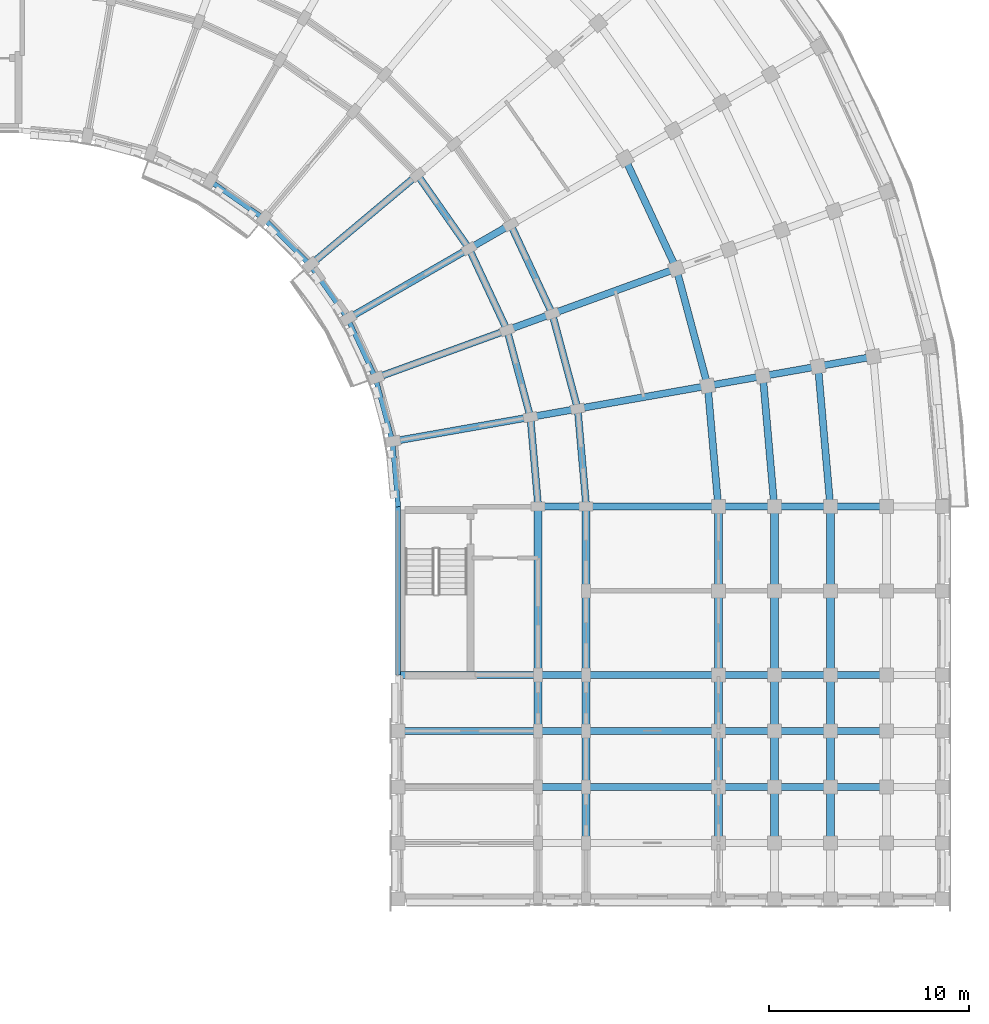
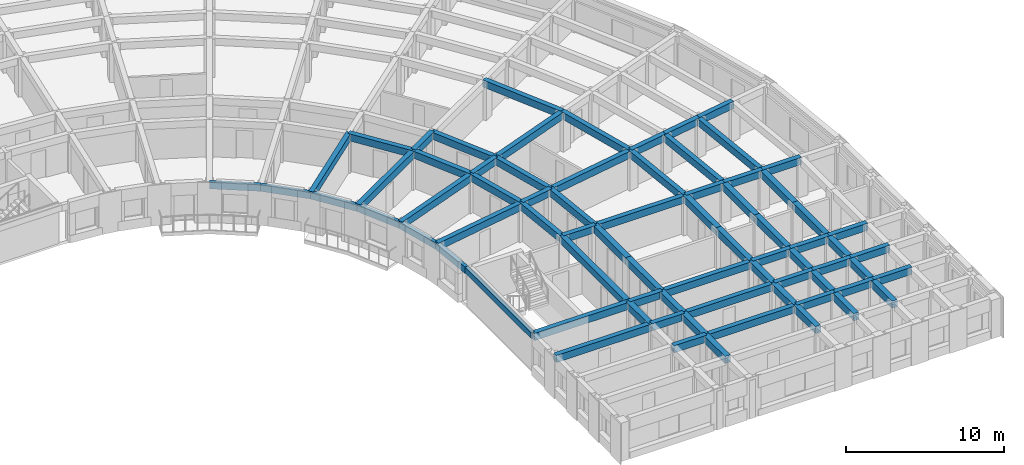
# One storey, part 12 of 57: 75 beams.
"""IFC4 building model written with IfcOpenShell, lengths in metres."""

from ifc_helpers import new_model, si_unit, direction, frame, origin, origin_2d, place, context, subcontext, project, spatial, rectangle, extrude, material, material_profile, profile_set, type_object, element, save


model = new_model("IFC4")

# Units and contexts
model_context = context("Model", 3, precision=1e-05, world=origin(), true_north=direction((0.0, 1.0)))
body_context = subcontext(model_context, "Body", "Model", "MODEL_VIEW")
ifc_project = project(units=[si_unit("LENGTHUNIT", "METRE"), si_unit("AREAUNIT", "SQUARE_METRE"), si_unit("VOLUMEUNIT", "CUBIC_METRE"), si_unit("PLANEANGLEUNIT", "RADIAN"), si_unit("MASSUNIT", "GRAM", prefix="KILO")], contexts=[model_context])

# Site, building, storey
site_placement = place(None, origin())
site = spatial("IfcSite", under=ifc_project, at=site_placement, CompositionType="ELEMENT")
building_placement = place(site_placement, origin())
building = spatial("IfcBuilding", under=site, at=building_placement, Name="Kiranvali Square Residences", CompositionType="ELEMENT")
storey_placement = place(building_placement, frame((0.0, 0.0, 24.449951171875)))
storey = spatial("IfcBuildingStorey", under=building, at=storey_placement, Name="L07", CompositionType="ELEMENT", Elevation=24.449951171875)

# Beams
ifc_material_1 = material(Name="Concrete M40 (40 MPa)", Category="concrete")
ifc_material_profile_1 = material_profile(ifc_material_1, rectangle(XDim=0.35009765625, YDim=0.550048828125, at=origin_2d()), Name="RC 350x550")
ifc_profile_set_1 = profile_set([ifc_material_profile_1], Name="Concrete M40 (40 MPa)")
beam_type_1 = type_object("IfcBeamType", Name="BM-M40-350x550", PredefinedType="BEAM", material=ifc_profile_set_1)
for number, where, z_axis, x_axis, name in (
    (1, (139.56396484375, 104.384033203125, 2.655029296875), (0.573571637217, -0.819155404658, 0.0), (0.819155404658, 0.573571637217, 0.0), "L07 beam BM-B-L07-C05-R1"),
    (2, (142.1435546875, 100.699951171875, 2.655029296875), (0.422617978463, -0.906307919131, 0.0), (0.906307919131, 0.422617978463, 0.0), "L07 beam BM-B-L07-C06-R1"),
):
    element("IfcBeam", number, at=place(storey_placement, frame(where, z_axis=z_axis, x_axis=x_axis)), inside=storey, type_object=beam_type_1, Name=name, PredefinedType="BEAM", context=body_context, shape_type="SweptSolid", body=[
        extrude(rectangle(XDim=0.35009765625, YDim=0.550048828125, at=origin_2d()), origin(), (0.0, 0.0, 1.0), 4.497314453125),
    ])
beam_1_placement = place(storey_placement, frame((144.221923828125, 101.89990234375, 2.655029296875), z_axis=(0.422629854778, -0.906302381024, 0.0), x_axis=(0.906302381024, 0.422629854778, 0.0)))
element("IfcBeam", 3, at=beam_1_placement, inside=storey, type_object=beam_type_1, Name="L07 beam BM-B-L07-C06-R2", PredefinedType="BEAM", context=body_context, shape_type="SweptSolid", body=[
    extrude(rectangle(XDim=0.35009765625, YDim=0.550048828125, at=origin_2d()), origin(), (0.0, 0.0, 1.0), 4.915283203125),
])
beam_2_placement = place(storey_placement, frame((149.937744140625, 105.199951171875, 2.655029296875), z_axis=(0.42260781991, -0.906312656069, 0.0), x_axis=(0.906312656069, 0.42260781991, 0.0)))
element("IfcBeam", 4, at=beam_2_placement, inside=storey, type_object=beam_type_1, Name="L07 beam BM-B-L07-C06-R3", PredefinedType="BEAM", context=body_context, shape_type="SweptSolid", body=[
    extrude(rectangle(XDim=0.35009765625, YDim=0.550048828125, at=origin_2d()), origin(), (0.0, 0.0, 1.0), 6.06591796875),
])
beam_3_placement = place(storey_placement, frame((144.044189453125, 96.6240234375, 2.655029296875), z_axis=(0.258787642463, -0.965934240054, 0.0), x_axis=(0.965934240054, 0.258787642463, 0.0)))
element("IfcBeam", 5, at=beam_3_placement, inside=storey, type_object=beam_type_1, Name="L07 beam BM-B-L07-C07-R1", PredefinedType="BEAM", context=body_context, shape_type="SweptSolid", body=[
    extrude(rectangle(XDim=0.35009765625, YDim=0.550048828125, at=origin_2d()), origin(), (0.0, 0.0, 1.0), 4.497314453125),
])
beam_4_placement = place(storey_placement, frame((146.29931640625, 97.445068359375, 2.655029296875), z_axis=(0.258803112091, -0.965930095386, 0.0), x_axis=(0.965930095386, 0.258803112091, 0.0)))
element("IfcBeam", 6, at=beam_4_placement, inside=storey, type_object=beam_type_1, Name="L07 beam BM-B-L07-C07-R2", PredefinedType="BEAM", context=body_context, shape_type="SweptSolid", body=[
    extrude(rectangle(XDim=0.35009765625, YDim=0.550048828125, at=origin_2d()), origin(), (0.0, 0.0, 1.0), 4.915771484375),
])
beam_5_placement = place(storey_placement, frame((152.501220703125, 99.702392578125, 2.655029296875), z_axis=(0.258827283048, -0.965923618901, 0.0), x_axis=(0.965923618901, 0.258827283048, 0.0)))
element("IfcBeam", 7, at=beam_5_placement, inside=storey, type_object=beam_type_1, Name="L07 beam BM-B-L07-C07-R3", PredefinedType="BEAM", context=body_context, shape_type="SweptSolid", body=[
    extrude(rectangle(XDim=0.35009765625, YDim=0.550048828125, at=origin_2d()), origin(), (0.0, 0.0, 1.0), 6.066162109375),
])
beam_6_placement = place(storey_placement, frame((145.2080078125, 92.280029296875, 2.655029296875), z_axis=(0.087187153726, -0.996191949488, 0.0), x_axis=(0.996191949488, 0.087187153726, 0.0)))
element("IfcBeam", 8, at=beam_6_placement, inside=storey, type_object=beam_type_1, Name="L07 beam BM-B-L07-C08-R1", PredefinedType="BEAM", context=body_context, shape_type="SweptSolid", body=[
    extrude(rectangle(XDim=0.35009765625, YDim=0.550048828125, at=origin_2d()), origin(), (0.0, 0.0, 1.0), 4.4970703125),
])
beam_7_placement = place(storey_placement, frame((147.571533203125, 92.69677734375, 2.655029296875), z_axis=(0.087167566415, -0.996193663584, 0.0), x_axis=(0.996193663584, 0.087167566415, 0.0)))
element("IfcBeam", 9, at=beam_7_placement, inside=storey, type_object=beam_type_1, Name="L07 beam BM-B-L07-C08-R2", PredefinedType="BEAM", context=body_context, shape_type="SweptSolid", body=[
    extrude(rectangle(XDim=0.35009765625, YDim=0.550048828125, at=origin_2d()), origin(), (0.0, 0.0, 1.0), 4.91552734375),
])
beam_8_placement = place(storey_placement, frame((154.0712890625, 93.843017578125, 2.655029296875), z_axis=(0.087174938512, -0.996193018494, 0.0), x_axis=(0.996193018494, 0.087174938512, 0.0)))
element("IfcBeam", 10, at=beam_8_placement, inside=storey, type_object=beam_type_1, Name="L07 beam BM-B-L07-C08-R3", PredefinedType="BEAM", context=body_context, shape_type="SweptSolid", body=[
    extrude(rectangle(XDim=0.35009765625, YDim=0.550048828125, at=origin_2d()), origin(), (0.0, 0.0, 1.0), 6.066162109375),
])
beam_9_placement = place(storey_placement, frame((156.828857421875, 94.3291015625, 2.655029296875), z_axis=(0.0871295204, -0.996196991902, 0.0), x_axis=(0.996196991902, 0.0871295204, 0.0)))
element("IfcBeam", 11, at=beam_9_placement, inside=storey, type_object=beam_type_1, Name="L07 beam BM-B-L07-C08-R4", PredefinedType="BEAM", context=body_context, shape_type="SweptSolid", body=[
    extrude(rectangle(XDim=0.35009765625, YDim=0.550048828125, at=origin_2d()), origin(), (0.0, 0.0, 1.0), 6.553955078125),
])
beam_10_placement = place(storey_placement, frame((159.586181640625, 94.8154296875, 2.655029296875), z_axis=(0.087156198737, -0.996194658198, 0.0), x_axis=(0.996194658198, 0.087156198737, 0.0)))
element("IfcBeam", 12, at=beam_10_placement, inside=storey, type_object=beam_type_1, Name="L07 beam BM-B-L07-C08-R5", PredefinedType="BEAM", context=body_context, shape_type="SweptSolid", body=[
    extrude(rectangle(XDim=0.35009765625, YDim=0.550048828125, at=origin_2d()), origin(), (0.0, 0.0, 1.0), 7.042236328125),
])
for number, where, z_axis, x_axis, name in (
    (13, (134.20166015625, 99.884521484375, 2.655029296875), (0.766044173478, 0.642787931032, 0.0), (-0.642787931032, 0.766044173478, 0.0), "L07 beam BM-B-L07-RAD05-01"),
    (14, (136.081298828125, 97.199951171875, 2.655029296875), (0.866028190633, 0.499995173006, 0.0), (-0.499995173006, 0.866028190633, 0.0), "L07 beam BM-B-L07-RAD06-01"),
):
    element("IfcBeam", number, at=place(storey_placement, frame(where, z_axis=z_axis, x_axis=x_axis)), inside=storey, type_object=beam_type_1, Name=name, PredefinedType="BEAM", context=body_context, shape_type="SweptSolid", body=[
        extrude(rectangle(XDim=0.35009765625, YDim=0.550048828125, at=origin_2d()), origin(), (0.0, 0.0, 1.0), 7.0),
    ])
beam_11_placement = place(storey_placement, frame((142.1435546875, 100.699951171875, 2.655029296875), z_axis=(0.866024647952, 0.500001309137, 0.0), x_axis=(-0.500001309137, 0.866024647952, 0.0)))
element("IfcBeam", 15, at=beam_11_placement, inside=storey, type_object=beam_type_1, Name="L07 beam BM-B-L07-RAD06-12", PredefinedType="BEAM", context=body_context, shape_type="SweptSolid", body=[
    extrude(rectangle(XDim=0.35009765625, YDim=0.550048828125, at=origin_2d()), origin(), (0.0, 0.0, 1.0), 2.39990234375),
])
beam_12_placement = place(storey_placement, frame((137.46630859375, 94.22998046875, 2.655029296875), z_axis=(0.939697665127, 0.342006283793, 0.0), x_axis=(-0.342006283793, 0.939697665127, 0.0)))
element("IfcBeam", 16, at=beam_12_placement, inside=storey, type_object=beam_type_1, Name="L07 beam BM-B-L07-RAD07-01", PredefinedType="BEAM", context=body_context, shape_type="SweptSolid", body=[
    extrude(rectangle(XDim=0.35009765625, YDim=0.550048828125, at=origin_2d()), origin(), (0.0, 0.0, 1.0), 7.0),
])
beam_13_placement = place(storey_placement, frame((144.044189453125, 96.6240234375, 2.655029296875), z_axis=(0.939659694648, 0.342110593602, 0.0), x_axis=(-0.342110593602, 0.939659694648, 0.0)))
element("IfcBeam", 17, at=beam_13_placement, inside=storey, type_object=beam_type_1, Name="L07 beam BM-B-L07-RAD07-12", PredefinedType="BEAM", context=body_context, shape_type="SweptSolid", body=[
    extrude(rectangle(XDim=0.35009765625, YDim=0.550048828125, at=origin_2d()), origin(), (0.0, 0.0, 1.0), 2.39990234375),
])
beam_14_placement = place(storey_placement, frame((146.29931640625, 97.445068359375, 2.655029296875), z_axis=(0.939691858249, 0.342022238372, 0.0), x_axis=(-0.342022238372, 0.939691858249, 0.0)))
element("IfcBeam", 18, at=beam_14_placement, inside=storey, type_object=beam_type_1, Name="L07 beam BM-B-L07-RAD07-23", PredefinedType="BEAM", context=body_context, shape_type="SweptSolid", body=[
    extrude(rectangle(XDim=0.35009765625, YDim=0.550048828125, at=origin_2d()), origin(), (0.0, 0.0, 1.0), 6.599853515625),
])
beam_15_placement = place(storey_placement, frame((138.314453125, 91.064697265625, 2.655029296875), z_axis=(0.984812337125, 0.173622177865, 0.0), x_axis=(-0.173622177865, 0.984812337125, 0.0)))
element("IfcBeam", 19, at=beam_15_placement, inside=storey, type_object=beam_type_1, Name="L07 beam BM-B-L07-RAD08-01", PredefinedType="BEAM", context=body_context, shape_type="SweptSolid", body=[
    extrude(rectangle(XDim=0.35009765625, YDim=0.550048828125, at=origin_2d()), origin(), (0.0, 0.0, 1.0), 6.999755859375),
])
beam_16_placement = place(storey_placement, frame((145.2080078125, 92.280029296875, 2.655029296875), z_axis=(0.984808127031, 0.173646056486, 0.0), x_axis=(-0.173646056486, 0.984808127031, 0.0)))
element("IfcBeam", 20, at=beam_16_placement, inside=storey, type_object=beam_type_1, Name="L07 beam BM-B-L07-RAD08-12", PredefinedType="BEAM", context=body_context, shape_type="SweptSolid", body=[
    extrude(rectangle(XDim=0.35009765625, YDim=0.550048828125, at=origin_2d()), origin(), (0.0, 0.0, 1.0), 2.39990234375),
])
beam_17_placement = place(storey_placement, frame((147.571533203125, 92.69677734375, 2.655029296875), z_axis=(0.984803661269, 0.173671381499, 0.0), x_axis=(-0.173671381499, 0.984803661269, 0.0)))
element("IfcBeam", 21, at=beam_17_placement, inside=storey, type_object=beam_type_1, Name="L07 beam BM-B-L07-RAD08-23", PredefinedType="BEAM", context=body_context, shape_type="SweptSolid", body=[
    extrude(rectangle(XDim=0.35009765625, YDim=0.550048828125, at=origin_2d()), origin(), (0.0, 0.0, 1.0), 6.60009765625),
])
beam_18_placement = place(storey_placement, frame((154.0712890625, 93.843017578125, 2.655029296875), z_axis=(0.984816895441, 0.173596320392, 0.0), x_axis=(-0.173596320392, 0.984816895441, 0.0)))
element("IfcBeam", 22, at=beam_18_placement, inside=storey, type_object=beam_type_1, Name="L07 beam BM-B-L07-RAD08-34", PredefinedType="BEAM", context=body_context, shape_type="SweptSolid", body=[
    extrude(rectangle(XDim=0.35009765625, YDim=0.550048828125, at=origin_2d()), origin(), (0.0, 0.0, 1.0), 2.800048828125),
])
beam_19_placement = place(storey_placement, frame((156.828857421875, 94.3291015625, 2.655029296875), z_axis=(0.984799355489, 0.173695795656, 0.0), x_axis=(-0.173695795656, 0.984799355489, 0.0)))
element("IfcBeam", 23, at=beam_19_placement, inside=storey, type_object=beam_type_1, Name="L07 beam BM-B-L07-RAD08-45", PredefinedType="BEAM", context=body_context, shape_type="SweptSolid", body=[
    extrude(rectangle(XDim=0.35009765625, YDim=0.550048828125, at=origin_2d()), origin(), (0.0, 0.0, 1.0), 2.7998046875),
])
beam_20_placement = place(storey_placement, frame((159.586181640625, 94.8154296875, 2.655029296875), z_axis=(0.984816895441, 0.173596320392, 0.0), x_axis=(-0.173596320392, 0.984816895441, 0.0)))
element("IfcBeam", 24, at=beam_20_placement, inside=storey, type_object=beam_type_1, Name="L07 beam BM-B-L07-RAD08-56", PredefinedType="BEAM", context=body_context, shape_type="SweptSolid", body=[
    extrude(rectangle(XDim=0.35009765625, YDim=0.550048828125, at=origin_2d()), origin(), (0.0, 0.0, 1.0), 2.800048828125),
])
beam_21_placement = place(storey_placement, frame((145.60009765625, 87.800048828125, 2.655029296875), z_axis=(1.0, 0.0, 0.0), x_axis=(0.0, 1.0, 0.0)))
element("IfcBeam", 25, at=beam_21_placement, inside=storey, type_object=beam_type_1, Name="L07 beam BM-B-L07-A2T0-12", PredefinedType="BEAM", context=body_context, shape_type="SweptSolid", body=[
    extrude(rectangle(XDim=0.35009765625, YDim=0.550048828125, at=origin_2d()), origin(), (0.0, 0.0, 1.0), 2.39990234375),
])
beam_22_placement = place(storey_placement, frame((148.0, 87.800048828125, 2.655029296875), z_axis=(1.0, 0.0, 0.0), x_axis=(0.0, 1.0, 0.0)))
element("IfcBeam", 26, at=beam_22_placement, inside=storey, type_object=beam_type_1, Name="L07 beam BM-B-L07-A2T0-23", PredefinedType="BEAM", context=body_context, shape_type="SweptSolid", body=[
    extrude(rectangle(XDim=0.35009765625, YDim=0.550048828125, at=origin_2d()), origin(), (0.0, 0.0, 1.0), 6.60009765625),
])
beam_23_placement = place(storey_placement, frame((154.60009765625, 87.800048828125, 2.655029296875), z_axis=(1.0, 0.0, 0.0), x_axis=(0.0, 1.0, 0.0)))
element("IfcBeam", 27, at=beam_23_placement, inside=storey, type_object=beam_type_1, Name="L07 beam BM-B-L07-A2T0-34", PredefinedType="BEAM", context=body_context, shape_type="SweptSolid", body=[
    extrude(rectangle(XDim=0.35009765625, YDim=0.550048828125, at=origin_2d()), origin(), (0.0, 0.0, 1.0), 2.7998046875),
])
for number, where, z_axis, x_axis, name in (
    (28, (157.39990234375, 87.800048828125, 2.655029296875), (1.0, 0.0, 0.0), (0.0, 1.0, 0.0), "L07 beam BM-B-L07-A2T0-45"),
    (29, (160.199951171875, 87.800048828125, 2.655029296875), (1.0, 0.0, 0.0), (0.0, 1.0, 0.0), "L07 beam BM-B-L07-A2T0-56"),
):
    element("IfcBeam", number, at=place(storey_placement, frame(where, z_axis=z_axis, x_axis=x_axis)), inside=storey, type_object=beam_type_1, Name=name, PredefinedType="BEAM", context=body_context, shape_type="SweptSolid", body=[
        extrude(rectangle(XDim=0.35009765625, YDim=0.550048828125, at=origin_2d()), origin(), (0.0, 0.0, 1.0), 2.800048828125),
    ])
beam_24_placement = place(storey_placement, frame((138.60009765625, 79.39990234375, 2.655029296875), z_axis=(1.0, 0.0, 0.0), x_axis=(0.0, 1.0, 0.0)))
element("IfcBeam", 30, at=beam_24_placement, inside=storey, type_object=beam_type_1, Name="L07 beam BM-B-L07-A2T1-01", PredefinedType="BEAM", context=body_context, shape_type="SweptSolid", body=[
    extrude(rectangle(XDim=0.35009765625, YDim=0.550048828125, at=origin_2d()), origin(), (0.0, 0.0, 1.0), 7.0),
])
beam_25_placement = place(storey_placement, frame((145.60009765625, 79.39990234375, 2.655029296875), z_axis=(1.0, 0.0, 0.0), x_axis=(0.0, 1.0, 0.0)))
element("IfcBeam", 31, at=beam_25_placement, inside=storey, type_object=beam_type_1, Name="L07 beam BM-B-L07-A2T1-12", PredefinedType="BEAM", context=body_context, shape_type="SweptSolid", body=[
    extrude(rectangle(XDim=0.35009765625, YDim=0.550048828125, at=origin_2d()), origin(), (0.0, 0.0, 1.0), 2.39990234375),
])
beam_26_placement = place(storey_placement, frame((148.0, 79.39990234375, 2.655029296875), z_axis=(1.0, 0.0, 0.0), x_axis=(0.0, 1.0, 0.0)))
element("IfcBeam", 32, at=beam_26_placement, inside=storey, type_object=beam_type_1, Name="L07 beam BM-B-L07-A2T1-23", PredefinedType="BEAM", context=body_context, shape_type="SweptSolid", body=[
    extrude(rectangle(XDim=0.35009765625, YDim=0.550048828125, at=origin_2d()), origin(), (0.0, 0.0, 1.0), 6.60009765625),
])
beam_27_placement = place(storey_placement, frame((154.60009765625, 79.39990234375, 2.655029296875), z_axis=(1.0, 0.0, 0.0), x_axis=(0.0, 1.0, 0.0)))
element("IfcBeam", 33, at=beam_27_placement, inside=storey, type_object=beam_type_1, Name="L07 beam BM-B-L07-A2T1-34", PredefinedType="BEAM", context=body_context, shape_type="SweptSolid", body=[
    extrude(rectangle(XDim=0.35009765625, YDim=0.550048828125, at=origin_2d()), origin(), (0.0, 0.0, 1.0), 2.7998046875),
])
for number, where, z_axis, x_axis, name in (
    (34, (157.39990234375, 79.39990234375, 2.655029296875), (1.0, 0.0, 0.0), (0.0, 1.0, 0.0), "L07 beam BM-B-L07-A2T1-45"),
    (35, (160.199951171875, 79.39990234375, 2.655029296875), (1.0, 0.0, 0.0), (0.0, 1.0, 0.0), "L07 beam BM-B-L07-A2T1-56"),
):
    element("IfcBeam", number, at=place(storey_placement, frame(where, z_axis=z_axis, x_axis=x_axis)), inside=storey, type_object=beam_type_1, Name=name, PredefinedType="BEAM", context=body_context, shape_type="SweptSolid", body=[
        extrude(rectangle(XDim=0.35009765625, YDim=0.550048828125, at=origin_2d()), origin(), (0.0, 0.0, 1.0), 2.800048828125),
    ])
beam_28_placement = place(storey_placement, frame((138.60009765625, 76.60009765625, 2.655029296875), z_axis=(1.0, 0.0, 0.0), x_axis=(0.0, 1.0, 0.0)))
element("IfcBeam", 36, at=beam_28_placement, inside=storey, type_object=beam_type_1, Name="L07 beam BM-B-L07-A2T2-01", PredefinedType="BEAM", context=body_context, shape_type="SweptSolid", body=[
    extrude(rectangle(XDim=0.35009765625, YDim=0.550048828125, at=origin_2d()), origin(), (0.0, 0.0, 1.0), 7.0),
])
beam_29_placement = place(storey_placement, frame((145.60009765625, 76.60009765625, 2.655029296875), z_axis=(1.0, 0.0, 0.0), x_axis=(0.0, 1.0, 0.0)))
element("IfcBeam", 37, at=beam_29_placement, inside=storey, type_object=beam_type_1, Name="L07 beam BM-B-L07-A2T2-12", PredefinedType="BEAM", context=body_context, shape_type="SweptSolid", body=[
    extrude(rectangle(XDim=0.35009765625, YDim=0.550048828125, at=origin_2d()), origin(), (0.0, 0.0, 1.0), 2.39990234375),
])
beam_30_placement = place(storey_placement, frame((148.0, 76.60009765625, 2.655029296875), z_axis=(1.0, 0.0, 0.0), x_axis=(0.0, 1.0, 0.0)))
element("IfcBeam", 38, at=beam_30_placement, inside=storey, type_object=beam_type_1, Name="L07 beam BM-B-L07-A2T2-23", PredefinedType="BEAM", context=body_context, shape_type="SweptSolid", body=[
    extrude(rectangle(XDim=0.35009765625, YDim=0.550048828125, at=origin_2d()), origin(), (0.0, 0.0, 1.0), 6.60009765625),
])
beam_31_placement = place(storey_placement, frame((154.60009765625, 76.60009765625, 2.655029296875), z_axis=(1.0, 0.0, 0.0), x_axis=(0.0, 1.0, 0.0)))
element("IfcBeam", 39, at=beam_31_placement, inside=storey, type_object=beam_type_1, Name="L07 beam BM-B-L07-A2T2-34", PredefinedType="BEAM", context=body_context, shape_type="SweptSolid", body=[
    extrude(rectangle(XDim=0.35009765625, YDim=0.550048828125, at=origin_2d()), origin(), (0.0, 0.0, 1.0), 2.7998046875),
])
for number, where, z_axis, x_axis, name in (
    (40, (157.39990234375, 76.60009765625, 2.655029296875), (1.0, 0.0, 0.0), (0.0, 1.0, 0.0), "L07 beam BM-B-L07-A2T2-45"),
    (41, (160.199951171875, 76.60009765625, 2.655029296875), (1.0, 0.0, 0.0), (0.0, 1.0, 0.0), "L07 beam BM-B-L07-A2T2-56"),
):
    element("IfcBeam", number, at=place(storey_placement, frame(where, z_axis=z_axis, x_axis=x_axis)), inside=storey, type_object=beam_type_1, Name=name, PredefinedType="BEAM", context=body_context, shape_type="SweptSolid", body=[
        extrude(rectangle(XDim=0.35009765625, YDim=0.550048828125, at=origin_2d()), origin(), (0.0, 0.0, 1.0), 2.800048828125),
    ])
beam_32_placement = place(storey_placement, frame((145.60009765625, 73.800048828125, 2.655029296875), z_axis=(1.0, 0.0, 0.0), x_axis=(0.0, 1.0, 0.0)))
element("IfcBeam", 42, at=beam_32_placement, inside=storey, type_object=beam_type_1, Name="L07 beam BM-B-L07-A2T3-12", PredefinedType="BEAM", context=body_context, shape_type="SweptSolid", body=[
    extrude(rectangle(XDim=0.35009765625, YDim=0.550048828125, at=origin_2d()), origin(), (0.0, 0.0, 1.0), 2.39990234375),
])
beam_33_placement = place(storey_placement, frame((148.0, 73.800048828125, 2.655029296875), z_axis=(1.0, 0.0, 0.0), x_axis=(0.0, 1.0, 0.0)))
element("IfcBeam", 43, at=beam_33_placement, inside=storey, type_object=beam_type_1, Name="L07 beam BM-B-L07-A2T3-23", PredefinedType="BEAM", context=body_context, shape_type="SweptSolid", body=[
    extrude(rectangle(XDim=0.35009765625, YDim=0.550048828125, at=origin_2d()), origin(), (0.0, 0.0, 1.0), 6.60009765625),
])
beam_34_placement = place(storey_placement, frame((154.60009765625, 73.800048828125, 2.655029296875), z_axis=(1.0, 0.0, 0.0), x_axis=(0.0, 1.0, 0.0)))
element("IfcBeam", 44, at=beam_34_placement, inside=storey, type_object=beam_type_1, Name="L07 beam BM-B-L07-A2T3-34", PredefinedType="BEAM", context=body_context, shape_type="SweptSolid", body=[
    extrude(rectangle(XDim=0.35009765625, YDim=0.550048828125, at=origin_2d()), origin(), (0.0, 0.0, 1.0), 2.7998046875),
])
for number, where, z_axis, x_axis, name in (
    (45, (157.39990234375, 73.800048828125, 2.655029296875), (1.0, 0.0, 0.0), (0.0, 1.0, 0.0), "L07 beam BM-B-L07-A2T3-45"),
    (46, (160.199951171875, 73.800048828125, 2.655029296875), (1.0, 0.0, 0.0), (0.0, 1.0, 0.0), "L07 beam BM-B-L07-A2T3-56"),
):
    element("IfcBeam", number, at=place(storey_placement, frame(where, z_axis=z_axis, x_axis=x_axis)), inside=storey, type_object=beam_type_1, Name=name, PredefinedType="BEAM", context=body_context, shape_type="SweptSolid", body=[
        extrude(rectangle(XDim=0.35009765625, YDim=0.550048828125, at=origin_2d()), origin(), (0.0, 0.0, 1.0), 2.800048828125),
    ])
ifc_material_2 = material(Name="Concrete M45 (45 MPa)", Category="concrete")
ifc_material_profile_2 = material_profile(ifc_material_2, rectangle(XDim=0.39990234375, YDim=0.550048828125, at=origin_2d()), Name="RC 400x550")
ifc_profile_set_2 = profile_set([ifc_material_profile_2], Name="Concrete M45 (45 MPa)")
beam_type_2 = type_object("IfcBeamType", Name="BM-M45-400x550", PredefinedType="BEAM", material=ifc_profile_set_2)
beam_35_placement = place(storey_placement, frame((145.60009765625, 87.800048828125, 2.655029296875), z_axis=(0.0, -1.0, 0.0), x_axis=(1.0, 0.0, 0.0)))
element("IfcBeam", 47, at=beam_35_placement, inside=storey, type_object=beam_type_2, Name="L07 beam BM-B-L07-A2V0-R1", PredefinedType="BEAM", context=body_context, shape_type="SweptSolid", body=[
    extrude(rectangle(XDim=0.39990234375, YDim=0.550048828125, at=origin_2d()), origin(), (0.0, 0.0, 1.0), 8.400146484375),
])
beam_36_placement = place(storey_placement, frame((145.60009765625, 79.39990234375, 2.655029296875), z_axis=(0.0, -1.0, 0.0), x_axis=(1.0, 0.0, 0.0)))
element("IfcBeam", 48, at=beam_36_placement, inside=storey, type_object=beam_type_2, Name="L07 beam BM-B-L07-A2V1-R1", PredefinedType="BEAM", context=body_context, shape_type="SweptSolid", body=[
    extrude(rectangle(XDim=0.39990234375, YDim=0.550048828125, at=origin_2d()), origin(), (0.0, 0.0, 1.0), 2.7998046875),
])
beam_37_placement = place(storey_placement, frame((148.0, 87.800048828125, 2.655029296875), z_axis=(0.0, -1.0, 0.0), x_axis=(1.0, 0.0, 0.0)))
element("IfcBeam", 49, at=beam_37_placement, inside=storey, type_object=beam_type_2, Name="L07 beam BM-B-L07-A2V0-R2", PredefinedType="BEAM", context=body_context, shape_type="SweptSolid", body=[
    extrude(rectangle(XDim=0.39990234375, YDim=0.550048828125, at=origin_2d()), origin(), (0.0, 0.0, 1.0), 4.199951171875),
])
beam_38_placement = place(storey_placement, frame((148.0, 83.60009765625, 2.655029296875), z_axis=(0.0, -1.0, 0.0), x_axis=(1.0, 0.0, 0.0)))
element("IfcBeam", 50, at=beam_38_placement, inside=storey, type_object=beam_type_2, Name="L07 beam BM-B-L07-A2V1-R2", PredefinedType="BEAM", context=body_context, shape_type="SweptSolid", body=[
    extrude(rectangle(XDim=0.39990234375, YDim=0.550048828125, at=origin_2d()), origin(), (0.0, 0.0, 1.0), 4.2001953125),
])
beam_39_placement = place(storey_placement, frame((148.0, 79.39990234375, 2.655029296875), z_axis=(0.0, -1.0, 0.0), x_axis=(1.0, 0.0, 0.0)))
element("IfcBeam", 51, at=beam_39_placement, inside=storey, type_object=beam_type_2, Name="L07 beam BM-B-L07-A2V2-R2", PredefinedType="BEAM", context=body_context, shape_type="SweptSolid", body=[
    extrude(rectangle(XDim=0.39990234375, YDim=0.550048828125, at=origin_2d()), origin(), (0.0, 0.0, 1.0), 2.7998046875),
])
for number, where, z_axis, x_axis, name in (
    (52, (148.0, 76.60009765625, 2.655029296875), (0.0, -1.0, 0.0), (1.0, 0.0, 0.0), "L07 beam BM-B-L07-A2V3-R2"),
    (53, (148.0, 73.800048828125, 2.655029296875), (0.0, -1.0, 0.0), (1.0, 0.0, 0.0), "L07 beam BM-B-L07-A2V4-R2"),
):
    element("IfcBeam", number, at=place(storey_placement, frame(where, z_axis=z_axis, x_axis=x_axis)), inside=storey, type_object=beam_type_2, Name=name, PredefinedType="BEAM", context=body_context, shape_type="SweptSolid", body=[
        extrude(rectangle(XDim=0.39990234375, YDim=0.550048828125, at=origin_2d()), origin(), (0.0, 0.0, 1.0), 2.800048828125),
    ])
beam_40_placement = place(storey_placement, frame((154.60009765625, 87.800048828125, 2.655029296875), z_axis=(0.0, -1.0, 0.0), x_axis=(1.0, 0.0, 0.0)))
element("IfcBeam", 54, at=beam_40_placement, inside=storey, type_object=beam_type_2, Name="L07 beam BM-B-L07-A2V0-R3", PredefinedType="BEAM", context=body_context, shape_type="SweptSolid", body=[
    extrude(rectangle(XDim=0.39990234375, YDim=0.550048828125, at=origin_2d()), origin(), (0.0, 0.0, 1.0), 4.199951171875),
])
beam_41_placement = place(storey_placement, frame((154.60009765625, 83.60009765625, 2.655029296875), z_axis=(0.0, -1.0, 0.0), x_axis=(1.0, 0.0, 0.0)))
element("IfcBeam", 55, at=beam_41_placement, inside=storey, type_object=beam_type_2, Name="L07 beam BM-B-L07-A2V1-R3", PredefinedType="BEAM", context=body_context, shape_type="SweptSolid", body=[
    extrude(rectangle(XDim=0.39990234375, YDim=0.550048828125, at=origin_2d()), origin(), (0.0, 0.0, 1.0), 4.2001953125),
])
beam_42_placement = place(storey_placement, frame((154.60009765625, 79.39990234375, 2.655029296875), z_axis=(0.0, -1.0, 0.0), x_axis=(1.0, 0.0, 0.0)))
element("IfcBeam", 56, at=beam_42_placement, inside=storey, type_object=beam_type_2, Name="L07 beam BM-B-L07-A2V2-R3", PredefinedType="BEAM", context=body_context, shape_type="SweptSolid", body=[
    extrude(rectangle(XDim=0.39990234375, YDim=0.550048828125, at=origin_2d()), origin(), (0.0, 0.0, 1.0), 2.7998046875),
])
for number, where, z_axis, x_axis, name in (
    (57, (154.60009765625, 76.60009765625, 2.655029296875), (0.0, -1.0, 0.0), (1.0, 0.0, 0.0), "L07 beam BM-B-L07-A2V3-R3"),
    (58, (154.60009765625, 73.800048828125, 2.655029296875), (0.0, -1.0, 0.0), (1.0, 0.0, 0.0), "L07 beam BM-B-L07-A2V4-R3"),
):
    element("IfcBeam", number, at=place(storey_placement, frame(where, z_axis=z_axis, x_axis=x_axis)), inside=storey, type_object=beam_type_2, Name=name, PredefinedType="BEAM", context=body_context, shape_type="SweptSolid", body=[
        extrude(rectangle(XDim=0.39990234375, YDim=0.550048828125, at=origin_2d()), origin(), (0.0, 0.0, 1.0), 2.800048828125),
    ])
beam_43_placement = place(storey_placement, frame((157.39990234375, 87.800048828125, 2.655029296875), z_axis=(0.0, -1.0, 0.0), x_axis=(1.0, 0.0, 0.0)))
element("IfcBeam", 59, at=beam_43_placement, inside=storey, type_object=beam_type_2, Name="L07 beam BM-B-L07-A2V0-R4", PredefinedType="BEAM", context=body_context, shape_type="SweptSolid", body=[
    extrude(rectangle(XDim=0.39990234375, YDim=0.550048828125, at=origin_2d()), origin(), (0.0, 0.0, 1.0), 4.199951171875),
])
beam_44_placement = place(storey_placement, frame((157.39990234375, 83.60009765625, 2.655029296875), z_axis=(0.0, -1.0, 0.0), x_axis=(1.0, 0.0, 0.0)))
element("IfcBeam", 60, at=beam_44_placement, inside=storey, type_object=beam_type_2, Name="L07 beam BM-B-L07-A2V1-R4", PredefinedType="BEAM", context=body_context, shape_type="SweptSolid", body=[
    extrude(rectangle(XDim=0.39990234375, YDim=0.550048828125, at=origin_2d()), origin(), (0.0, 0.0, 1.0), 4.2001953125),
])
beam_45_placement = place(storey_placement, frame((157.39990234375, 79.39990234375, 2.655029296875), z_axis=(0.0, -1.0, 0.0), x_axis=(1.0, 0.0, 0.0)))
element("IfcBeam", 61, at=beam_45_placement, inside=storey, type_object=beam_type_2, Name="L07 beam BM-B-L07-A2V2-R4", PredefinedType="BEAM", context=body_context, shape_type="SweptSolid", body=[
    extrude(rectangle(XDim=0.39990234375, YDim=0.550048828125, at=origin_2d()), origin(), (0.0, 0.0, 1.0), 2.7998046875),
])
for number, where, z_axis, x_axis, name in (
    (62, (157.39990234375, 76.60009765625, 2.655029296875), (0.0, -1.0, 0.0), (1.0, 0.0, 0.0), "L07 beam BM-B-L07-A2V3-R4"),
    (63, (157.39990234375, 73.800048828125, 2.655029296875), (0.0, -1.0, 0.0), (1.0, 0.0, 0.0), "L07 beam BM-B-L07-A2V4-R4"),
):
    element("IfcBeam", number, at=place(storey_placement, frame(where, z_axis=z_axis, x_axis=x_axis)), inside=storey, type_object=beam_type_2, Name=name, PredefinedType="BEAM", context=body_context, shape_type="SweptSolid", body=[
        extrude(rectangle(XDim=0.39990234375, YDim=0.550048828125, at=origin_2d()), origin(), (0.0, 0.0, 1.0), 2.800048828125),
    ])
beam_46_placement = place(storey_placement, frame((160.199951171875, 87.800048828125, 2.655029296875), z_axis=(0.0, -1.0, 0.0), x_axis=(1.0, 0.0, 0.0)))
element("IfcBeam", 64, at=beam_46_placement, inside=storey, type_object=beam_type_2, Name="L07 beam BM-B-L07-A2V0-R5", PredefinedType="BEAM", context=body_context, shape_type="SweptSolid", body=[
    extrude(rectangle(XDim=0.39990234375, YDim=0.550048828125, at=origin_2d()), origin(), (0.0, 0.0, 1.0), 4.199951171875),
])
beam_47_placement = place(storey_placement, frame((160.199951171875, 83.60009765625, 2.655029296875), z_axis=(0.0, -1.0, 0.0), x_axis=(1.0, 0.0, 0.0)))
element("IfcBeam", 65, at=beam_47_placement, inside=storey, type_object=beam_type_2, Name="L07 beam BM-B-L07-A2V1-R5", PredefinedType="BEAM", context=body_context, shape_type="SweptSolid", body=[
    extrude(rectangle(XDim=0.39990234375, YDim=0.550048828125, at=origin_2d()), origin(), (0.0, 0.0, 1.0), 4.2001953125),
])
beam_48_placement = place(storey_placement, frame((160.199951171875, 79.39990234375, 2.655029296875), z_axis=(0.0, -1.0, 0.0), x_axis=(1.0, 0.0, 0.0)))
element("IfcBeam", 66, at=beam_48_placement, inside=storey, type_object=beam_type_2, Name="L07 beam BM-B-L07-A2V2-R5", PredefinedType="BEAM", context=body_context, shape_type="SweptSolid", body=[
    extrude(rectangle(XDim=0.39990234375, YDim=0.550048828125, at=origin_2d()), origin(), (0.0, 0.0, 1.0), 2.7998046875),
])
for number, where, z_axis, x_axis, name in (
    (67, (160.199951171875, 76.60009765625, 2.655029296875), (0.0, -1.0, 0.0), (1.0, 0.0, 0.0), "L07 beam BM-B-L07-A2V3-R5"),
    (68, (160.199951171875, 73.800048828125, 2.655029296875), (0.0, -1.0, 0.0), (1.0, 0.0, 0.0), "L07 beam BM-B-L07-A2V4-R5"),
):
    element("IfcBeam", number, at=place(storey_placement, frame(where, z_axis=z_axis, x_axis=x_axis)), inside=storey, type_object=beam_type_2, Name=name, PredefinedType="BEAM", context=body_context, shape_type="SweptSolid", body=[
        extrude(rectangle(XDim=0.39990234375, YDim=0.550048828125, at=origin_2d()), origin(), (0.0, 0.0, 1.0), 2.800048828125),
    ])
ifc_material_profile_3 = material_profile(ifc_material_1, rectangle(XDim=0.25, YDim=0.449951171875, at=origin_2d()), Name="RC 250x450")
ifc_profile_set_3 = profile_set([ifc_material_profile_3], Name="Concrete M40 (40 MPa)")
beam_type_3 = type_object("IfcBeamType", Name="SPN-M40-250x450", PredefinedType="SPANDREL", material=ifc_profile_set_3)
beam_49_placement = place(storey_placement, frame((138.60009765625, 87.800048828125, 2.705078125), z_axis=(0.0, -1.0, 0.0), x_axis=(1.0, 0.0, 0.0)))
element("IfcBeam", 69, at=beam_49_placement, inside=storey, type_object=beam_type_3, Name="L07 beam BM-B-L07-A2V0-R0", PredefinedType="SPANDREL", context=body_context, shape_type="SweptSolid", body=[
    extrude(rectangle(XDim=0.25, YDim=0.449951171875, at=origin_2d()), origin(), (0.0, 0.0, 1.0), 8.400146484375),
])
ifc_material_profile_4 = material_profile(ifc_material_1, rectangle(XDim=0.25, YDim=0.5, at=origin_2d()), Name="RC 250x500")
ifc_profile_set_4 = profile_set([ifc_material_profile_4], Name="Concrete M40 (40 MPa)")
beam_type_4 = type_object("IfcBeamType", Name="SPN-M40-250x500", PredefinedType="SPANDREL", material=ifc_profile_set_4)
beam_50_placement = place(storey_placement, frame((129.199951171875, 104.081298828125, 2.679931640625), z_axis=(0.81916891812, -0.573552337269, 0.0), x_axis=(0.573552337269, 0.81916891812, 0.0)))
element("IfcBeam", 70, at=beam_50_placement, inside=storey, type_object=beam_type_4, Name="L07 beam BM-B-L07-C03-R0", PredefinedType="SPANDREL", context=body_context, shape_type="SweptSolid", body=[
    extrude(rectangle(XDim=0.25, YDim=0.5, at=origin_2d()), origin(), (0.0, 0.0, 1.0), 3.277099609375),
])
beam_51_placement = place(storey_placement, frame((131.884521484375, 102.20166015625, 2.679931640625), z_axis=(0.707106781187, -0.707106781187, 0.0), x_axis=(0.707106781187, 0.707106781187, 0.0)))
element("IfcBeam", 71, at=beam_51_placement, inside=storey, type_object=beam_type_4, Name="L07 beam BM-B-L07-C04-R0", PredefinedType="SPANDREL", context=body_context, shape_type="SweptSolid", body=[
    extrude(rectangle(XDim=0.25, YDim=0.5, at=origin_2d()), origin(), (0.0, 0.0, 1.0), 3.27685546875),
])
for number, where, z_axis, x_axis, name in (
    (72, (134.20166015625, 99.884521484375, 2.679931640625), (0.573552337269, -0.81916891812, 0.0), (0.81916891812, 0.573552337269, 0.0), "L07 beam BM-B-L07-C05-R0"),
    (73, (136.081298828125, 97.199951171875, 2.679931640625), (0.422640740585, -0.90629730464, 0.0), (0.90629730464, 0.422640740585, 0.0), "L07 beam BM-B-L07-C06-R0"),
):
    element("IfcBeam", number, at=place(storey_placement, frame(where, z_axis=z_axis, x_axis=x_axis)), inside=storey, type_object=beam_type_4, Name=name, PredefinedType="SPANDREL", context=body_context, shape_type="SweptSolid", body=[
        extrude(rectangle(XDim=0.25, YDim=0.5, at=origin_2d()), origin(), (0.0, 0.0, 1.0), 3.277099609375),
    ])
beam_52_placement = place(storey_placement, frame((137.46630859375, 94.22998046875, 2.679931640625), z_axis=(0.258821736607, -0.965925105099, 0.0), x_axis=(0.965925105099, 0.258821736607, 0.0)))
element("IfcBeam", 74, at=beam_52_placement, inside=storey, type_object=beam_type_4, Name="L07 beam BM-B-L07-C07-R0", PredefinedType="SPANDREL", context=body_context, shape_type="SweptSolid", body=[
    extrude(rectangle(XDim=0.25, YDim=0.5, at=origin_2d()), origin(), (0.0, 0.0, 1.0), 3.27685546875),
])
beam_53_placement = place(storey_placement, frame((138.314453125, 91.064697265625, 2.679931640625), z_axis=(0.087163253657, -0.996194040944, 0.0), x_axis=(0.996194040944, 0.087163253657, 0.0)))
element("IfcBeam", 75, at=beam_53_placement, inside=storey, type_object=beam_type_4, Name="L07 beam BM-B-L07-C08-R0", PredefinedType="SPANDREL", context=body_context, shape_type="SweptSolid", body=[
    extrude(rectangle(XDim=0.25, YDim=0.5, at=origin_2d()), origin(), (0.0, 0.0, 1.0), 3.277099609375),
])

save(model, "model.ifc")
